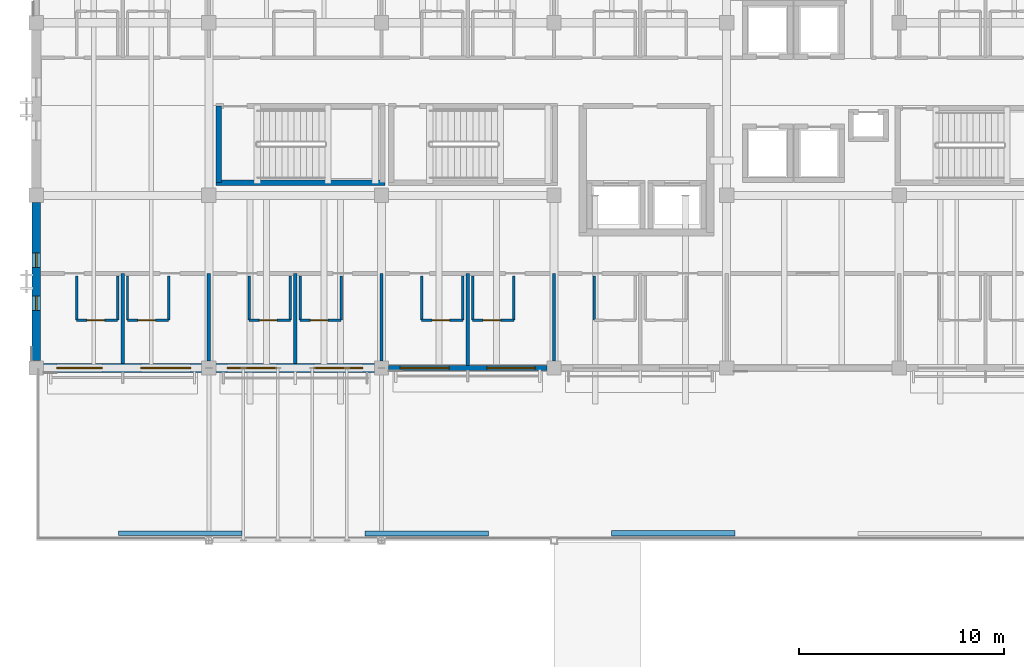
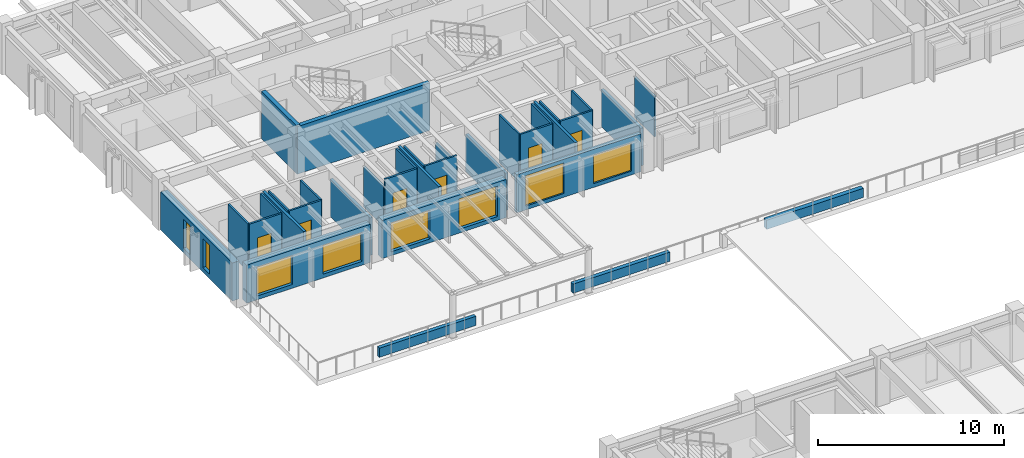
# One storey, part 86 of 111: 34 walls, 8 windows, 6 doors, 14 openings.
"""IFC4 building model written with IfcOpenShell, lengths in metres."""

from ifc_helpers import new_model, si_unit, direction, frame, frame_2d, origin, place, context, subcontext, project, spatial, rectangle, extrude, material, layer, layer_set, type_object, element, fill, save


model = new_model("IFC4")

# Units and contexts
model_context = context("Model", 3, precision=1e-05, world=origin(), true_north=direction((0.0, 1.0)))
body_context = subcontext(model_context, "Body", "Model", "MODEL_VIEW")
ifc_project = project(units=[si_unit("LENGTHUNIT", "METRE"), si_unit("AREAUNIT", "SQUARE_METRE"), si_unit("VOLUMEUNIT", "CUBIC_METRE"), si_unit("PLANEANGLEUNIT", "RADIAN"), si_unit("MASSUNIT", "GRAM", prefix="KILO")], contexts=[model_context])

# Site, building, storey
site_placement = place(None, origin())
site = spatial("IfcSite", under=ifc_project, at=site_placement, CompositionType="ELEMENT")
building_placement = place(site_placement, origin())
building = spatial("IfcBuilding", under=site, at=building_placement, Name="Cumbredor Promenade Congress Hotel", CompositionType="ELEMENT")
storey_placement = place(building_placement, frame((0.0, 0.0, 15.1201171875)))
storey = spatial("IfcBuildingStorey", under=building, at=storey_placement, Name="L04", CompositionType="ELEMENT", Elevation=15.1201171875)

# Wall, opening, door
ifc_material_1 = material(Name="Moisture-resistant gypsum board on steel studs", Category="steel")
ifc_layer_1 = layer(ifc_material_1, 0.114990234375, Name="Moisture-resistant gypsum board on steel studs", Category="steel")
ifc_layer_set_1 = layer_set([ifc_layer_1], Name="Moisture-resistant gypsum board on steel studs")
wall_type_1 = type_object("IfcWallType", Name="WL-BATH-115", PredefinedType="PARTITIONING", material=ifc_layer_set_1)
wall_1_placement = place(storey_placement, frame((1.9599609375, 94.72998046875, 0.0), z_axis=(0.0, 0.0, 1.0), x_axis=(1.0, 0.0, 0.0)))
wall_1 = element("IfcWall", 1, at=wall_1_placement, inside=storey, type_object=wall_type_1, Name="L04 Interior Partition W-L04-BH-0471", PredefinedType="PARTITIONING", context=body_context, shape_type="SweptSolid", body=[
    extrude(rectangle(XDim=2.0, YDim=0.114990234375, at=frame_2d((1.0, 0.0))), origin(), (0.0, 0.0, 1.0), 3.119873046875),
])
opening_1_placement = place(wall_1_placement, frame((0.5, 0.0, 0.0)))
opening_1 = element("IfcOpeningElement", 2, at=opening_1_placement, cuts=wall_1, Name="Opening ID-01", PredefinedType="OPENING", context=body_context, shape_type="SweptSolid", body=[
    extrude(rectangle(XDim=0.860107421875, YDim=2.050048828125, at=frame_2d((0.43017578125, 1.02490234375))), frame((0.0, 0.0673828125, 0.0), z_axis=(0.0, -1.0, 0.0), x_axis=(1.0, 0.0, 0.0)), (0.0, 0.0, 1.0), 0.135009765625),
])
ifc_material_2 = material(Name="Kiln-dried tropical hardwood", Category="wood")
door_type = type_object("IfcDoorType", Name="DR-BATH-860", OperationType="NOTDEFINED", PredefinedType="DOOR", material=ifc_material_2)
door_1_placement = place(opening_1_placement, origin())
door_1 = element("IfcDoor", 3, at=door_1_placement, inside=storey, type_object=door_type, Name="L04 Interior Door W-L04-BH-0471-01", OperationType="SINGLE_SWING_LEFT", OverallHeight=2.050048828125, OverallWidth=0.860107421875, PredefinedType="DOOR", context=body_context, shape_type="SweptSolid", body=[
    extrude(rectangle(XDim=0.860107421875, YDim=2.050048828125, at=frame_2d((0.43017578125, 1.02490234375))), frame((0.0, 0.02490234375, 0.0), z_axis=(0.0, -1.0, 0.0), x_axis=(1.0, 0.0, 0.0)), (0.0, 0.0, 1.0), 0.050048828125),
])
fill(opening_1, door_1)

# Walls
for number, where, z_axis, x_axis, name in (
    (4, (1.9599609375, 94.72998046875, 0.0), (0.0, 0.0, 1.0), (0.0, 1.0, 0.0), "L04 Interior Partition W-L04-BV1-0471"),
    (5, (3.9599609375, 94.72998046875, 0.0), (0.0, 0.0, 1.0), (0.0, 1.0, 0.0), "L04 Interior Partition W-L04-BV2-0471"),
):
    element("IfcWall", number, at=place(storey_placement, frame(where, z_axis=z_axis, x_axis=x_axis)), inside=storey, type_object=wall_type_1, Name=name, PredefinedType="PARTITIONING", context=body_context, shape_type="SweptSolid", body=[
        extrude(rectangle(XDim=2.14990234375, YDim=0.114990234375, at=frame_2d((1.074951171875, 0.0))), origin(), (0.0, 0.0, 1.0), 3.119873046875),
    ])

# Wall, opening, door
wall_2_placement = place(storey_placement, frame((4.43994140625, 94.72998046875, 0.0), z_axis=(0.0, 0.0, 1.0), x_axis=(1.0, 0.0, 0.0)))
wall_2 = element("IfcWall", 6, at=wall_2_placement, inside=storey, type_object=wall_type_1, Name="L04 Interior Partition W-L04-BH-0472", PredefinedType="PARTITIONING", context=body_context, shape_type="SweptSolid", body=[
    extrude(rectangle(XDim=2.0, YDim=0.114990234375, at=frame_2d((1.0, 0.0))), origin(), (0.0, 0.0, 1.0), 3.119873046875),
])
opening_2_placement = place(wall_2_placement, frame((0.5, 0.0, 0.0)))
opening_2 = element("IfcOpeningElement", 7, at=opening_2_placement, cuts=wall_2, Name="Opening ID-01", PredefinedType="OPENING", context=body_context, shape_type="SweptSolid", body=[
    extrude(rectangle(XDim=0.860107421875, YDim=2.050048828125, at=frame_2d((0.43017578125, 1.02490234375))), frame((0.0, 0.0673828125, 0.0), z_axis=(0.0, -1.0, 0.0), x_axis=(1.0, 0.0, 0.0)), (0.0, 0.0, 1.0), 0.135009765625),
])
door_2_placement = place(opening_2_placement, origin())
door_2 = element("IfcDoor", 8, at=door_2_placement, inside=storey, type_object=door_type, Name="L04 Interior Door W-L04-BH-0472-01", OperationType="SINGLE_SWING_RIGHT", OverallHeight=2.050048828125, OverallWidth=0.860107421875, PredefinedType="DOOR", context=body_context, shape_type="SweptSolid", body=[
    extrude(rectangle(XDim=0.860107421875, YDim=2.050048828125, at=frame_2d((0.43017578125, 1.02490234375))), frame((0.0, 0.02490234375, 0.0), z_axis=(0.0, -1.0, 0.0), x_axis=(1.0, 0.0, 0.0)), (0.0, 0.0, 1.0), 0.050048828125),
])
fill(opening_2, door_2)

# Walls
for number, where, z_axis, x_axis, name in (
    (9, (4.43994140625, 94.72998046875, 0.0), (0.0, 0.0, 1.0), (0.0, 1.0, 0.0), "L04 Interior Partition W-L04-BV1-0472"),
    (10, (6.43994140625, 94.72998046875, 0.0), (0.0, 0.0, 1.0), (0.0, 1.0, 0.0), "L04 Interior Partition W-L04-BV2-0472"),
):
    element("IfcWall", number, at=place(storey_placement, frame(where, z_axis=z_axis, x_axis=x_axis)), inside=storey, type_object=wall_type_1, Name=name, PredefinedType="PARTITIONING", context=body_context, shape_type="SweptSolid", body=[
        extrude(rectangle(XDim=2.14990234375, YDim=0.114990234375, at=frame_2d((1.074951171875, 0.0))), origin(), (0.0, 0.0, 1.0), 3.119873046875),
    ])

# Wall, opening, door
wall_3_placement = place(storey_placement, frame((10.360107421875, 94.72998046875, 0.0), z_axis=(0.0, 0.0, 1.0), x_axis=(1.0, 0.0, 0.0)))
wall_3 = element("IfcWall", 11, at=wall_3_placement, inside=storey, type_object=wall_type_1, Name="L04 Interior Partition W-L04-BH-0473", PredefinedType="PARTITIONING", context=body_context, shape_type="SweptSolid", body=[
    extrude(rectangle(XDim=2.0, YDim=0.114990234375, at=frame_2d((1.0, 0.0))), origin(), (0.0, 0.0, 1.0), 3.119873046875),
])
opening_3_placement = place(wall_3_placement, frame((0.5, 0.0, 0.0)))
opening_3 = element("IfcOpeningElement", 12, at=opening_3_placement, cuts=wall_3, Name="Opening ID-01", PredefinedType="OPENING", context=body_context, shape_type="SweptSolid", body=[
    extrude(rectangle(XDim=0.860107421875, YDim=2.050048828125, at=frame_2d((0.43017578125, 1.02490234375))), frame((0.0, 0.0673828125, 0.0), z_axis=(0.0, -1.0, 0.0), x_axis=(1.0, 0.0, 0.0)), (0.0, 0.0, 1.0), 0.135009765625),
])
door_3_placement = place(opening_3_placement, origin())
door_3 = element("IfcDoor", 13, at=door_3_placement, inside=storey, type_object=door_type, Name="L04 Interior Door W-L04-BH-0473-01", OperationType="SINGLE_SWING_LEFT", OverallHeight=2.050048828125, OverallWidth=0.860107421875, PredefinedType="DOOR", context=body_context, shape_type="SweptSolid", body=[
    extrude(rectangle(XDim=0.860107421875, YDim=2.050048828125, at=frame_2d((0.43017578125, 1.02490234375))), frame((0.0, 0.02490234375, 0.0), z_axis=(0.0, -1.0, 0.0), x_axis=(1.0, 0.0, 0.0)), (0.0, 0.0, 1.0), 0.050048828125),
])
fill(opening_3, door_3)

# Walls
wall_4_placement = place(storey_placement, frame((10.360107421875, 94.72998046875, 0.0), z_axis=(0.0, 0.0, 1.0), x_axis=(0.0, 1.0, 0.0)))
element("IfcWall", 14, at=wall_4_placement, inside=storey, type_object=wall_type_1, Name="L04 Interior Partition W-L04-BV1-0473", PredefinedType="PARTITIONING", context=body_context, shape_type="SweptSolid", body=[
    extrude(rectangle(XDim=2.14990234375, YDim=0.114990234375, at=frame_2d((1.074951171875, 0.0))), origin(), (0.0, 0.0, 1.0), 2.641845703125),
])
wall_5_placement = place(storey_placement, frame((12.360107421875, 94.72998046875, 0.0), z_axis=(0.0, 0.0, 1.0), x_axis=(0.0, 1.0, 0.0)))
element("IfcWall", 15, at=wall_5_placement, inside=storey, type_object=wall_type_1, Name="L04 Interior Partition W-L04-BV2-0473", PredefinedType="PARTITIONING", context=body_context, shape_type="SweptSolid", body=[
    extrude(rectangle(XDim=2.14990234375, YDim=0.114990234375, at=frame_2d((1.074951171875, 0.0))), origin(), (0.0, 0.0, 1.0), 3.119873046875),
])

# Wall, opening, door
wall_6_placement = place(storey_placement, frame((12.840087890625, 94.72998046875, 0.0), z_axis=(0.0, 0.0, 1.0), x_axis=(1.0, 0.0, 0.0)))
wall_6 = element("IfcWall", 16, at=wall_6_placement, inside=storey, type_object=wall_type_1, Name="L04 Interior Partition W-L04-BH-0474", PredefinedType="PARTITIONING", context=body_context, shape_type="SweptSolid", body=[
    extrude(rectangle(XDim=2.0, YDim=0.114990234375, at=frame_2d((1.0, 0.0))), origin(), (0.0, 0.0, 1.0), 3.119873046875),
])
opening_4_placement = place(wall_6_placement, frame((0.5, 0.0, 0.0)))
opening_4 = element("IfcOpeningElement", 17, at=opening_4_placement, cuts=wall_6, Name="Opening ID-01", PredefinedType="OPENING", context=body_context, shape_type="SweptSolid", body=[
    extrude(rectangle(XDim=0.860107421875, YDim=2.050048828125, at=frame_2d((0.43017578125, 1.02490234375))), frame((0.0, 0.0673828125, 0.0), z_axis=(0.0, -1.0, 0.0), x_axis=(1.0, 0.0, 0.0)), (0.0, 0.0, 1.0), 0.135009765625),
])
door_4_placement = place(opening_4_placement, origin())
door_4 = element("IfcDoor", 18, at=door_4_placement, inside=storey, type_object=door_type, Name="L04 Interior Door W-L04-BH-0474-01", OperationType="SINGLE_SWING_RIGHT", OverallHeight=2.050048828125, OverallWidth=0.860107421875, PredefinedType="DOOR", context=body_context, shape_type="SweptSolid", body=[
    extrude(rectangle(XDim=0.860107421875, YDim=2.050048828125, at=frame_2d((0.43017578125, 1.02490234375))), frame((0.0, 0.02490234375, 0.0), z_axis=(0.0, -1.0, 0.0), x_axis=(1.0, 0.0, 0.0)), (0.0, 0.0, 1.0), 0.050048828125),
])
fill(opening_4, door_4)

# Walls
wall_7_placement = place(storey_placement, frame((12.840087890625, 94.72998046875, 0.0), z_axis=(0.0, 0.0, 1.0), x_axis=(0.0, 1.0, 0.0)))
element("IfcWall", 19, at=wall_7_placement, inside=storey, type_object=wall_type_1, Name="L04 Interior Partition W-L04-BV1-0474", PredefinedType="PARTITIONING", context=body_context, shape_type="SweptSolid", body=[
    extrude(rectangle(XDim=2.14990234375, YDim=0.114990234375, at=frame_2d((1.074951171875, 0.0))), origin(), (0.0, 0.0, 1.0), 3.119873046875),
])
wall_8_placement = place(storey_placement, frame((14.840087890625, 94.72998046875, 0.0), z_axis=(0.0, 0.0, 1.0), x_axis=(0.0, 1.0, 0.0)))
element("IfcWall", 20, at=wall_8_placement, inside=storey, type_object=wall_type_1, Name="L04 Interior Partition W-L04-BV2-0474", PredefinedType="PARTITIONING", context=body_context, shape_type="SweptSolid", body=[
    extrude(rectangle(XDim=2.14990234375, YDim=0.114990234375, at=frame_2d((1.074951171875, 0.0))), origin(), (0.0, 0.0, 1.0), 2.641845703125),
])

# Wall, opening, door
wall_9_placement = place(storey_placement, frame((18.760009765625, 94.72998046875, 0.0), z_axis=(0.0, 0.0, 1.0), x_axis=(1.0, 0.0, 0.0)))
wall_9 = element("IfcWall", 21, at=wall_9_placement, inside=storey, type_object=wall_type_1, Name="L04 Interior Partition W-L04-BH-0475", PredefinedType="PARTITIONING", context=body_context, shape_type="SweptSolid", body=[
    extrude(rectangle(XDim=2.0, YDim=0.114990234375, at=frame_2d((1.0, 0.0))), origin(), (0.0, 0.0, 1.0), 3.119873046875),
])
opening_5_placement = place(wall_9_placement, frame((0.5, 0.0, 0.0)))
opening_5 = element("IfcOpeningElement", 22, at=opening_5_placement, cuts=wall_9, Name="Opening ID-01", PredefinedType="OPENING", context=body_context, shape_type="SweptSolid", body=[
    extrude(rectangle(XDim=0.860107421875, YDim=2.050048828125, at=frame_2d((0.43017578125, 1.02490234375))), frame((0.0, 0.0673828125, 0.0), z_axis=(0.0, -1.0, 0.0), x_axis=(1.0, 0.0, 0.0)), (0.0, 0.0, 1.0), 0.135009765625),
])
door_5_placement = place(opening_5_placement, origin())
door_5 = element("IfcDoor", 23, at=door_5_placement, inside=storey, type_object=door_type, Name="L04 Interior Door W-L04-BH-0475-01", OperationType="SINGLE_SWING_LEFT", OverallHeight=2.050048828125, OverallWidth=0.860107421875, PredefinedType="DOOR", context=body_context, shape_type="SweptSolid", body=[
    extrude(rectangle(XDim=0.860107421875, YDim=2.050048828125, at=frame_2d((0.43017578125, 1.02490234375))), frame((0.0, 0.02490234375, 0.0), z_axis=(0.0, -1.0, 0.0), x_axis=(1.0, 0.0, 0.0)), (0.0, 0.0, 1.0), 0.050048828125),
])
fill(opening_5, door_5)

# Walls
for number, where, z_axis, x_axis, name in (
    (24, (18.760009765625, 94.72998046875, 0.0), (0.0, 0.0, 1.0), (0.0, 1.0, 0.0), "L04 Interior Partition W-L04-BV1-0475"),
    (25, (20.760009765625, 94.72998046875, 0.0), (0.0, 0.0, 1.0), (0.0, 1.0, 0.0), "L04 Interior Partition W-L04-BV2-0475"),
):
    element("IfcWall", number, at=place(storey_placement, frame(where, z_axis=z_axis, x_axis=x_axis)), inside=storey, type_object=wall_type_1, Name=name, PredefinedType="PARTITIONING", context=body_context, shape_type="SweptSolid", body=[
        extrude(rectangle(XDim=2.14990234375, YDim=0.114990234375, at=frame_2d((1.074951171875, 0.0))), origin(), (0.0, 0.0, 1.0), 3.119873046875),
    ])

# Wall, opening, door
wall_10_placement = place(storey_placement, frame((21.239990234375, 94.72998046875, 0.0), z_axis=(0.0, 0.0, 1.0), x_axis=(1.0, 0.0, 0.0)))
wall_10 = element("IfcWall", 26, at=wall_10_placement, inside=storey, type_object=wall_type_1, Name="L04 Interior Partition W-L04-BH-0476", PredefinedType="PARTITIONING", context=body_context, shape_type="SweptSolid", body=[
    extrude(rectangle(XDim=2.0, YDim=0.114990234375, at=frame_2d((1.0, 0.0))), origin(), (0.0, 0.0, 1.0), 3.119873046875),
])
opening_6_placement = place(wall_10_placement, frame((0.5, 0.0, 0.0)))
opening_6 = element("IfcOpeningElement", 27, at=opening_6_placement, cuts=wall_10, Name="Opening ID-01", PredefinedType="OPENING", context=body_context, shape_type="SweptSolid", body=[
    extrude(rectangle(XDim=0.860107421875, YDim=2.050048828125, at=frame_2d((0.43017578125, 1.02490234375))), frame((0.0, 0.0673828125, 0.0), z_axis=(0.0, -1.0, 0.0), x_axis=(1.0, 0.0, 0.0)), (0.0, 0.0, 1.0), 0.135009765625),
])
door_6_placement = place(opening_6_placement, origin())
door_6 = element("IfcDoor", 28, at=door_6_placement, inside=storey, type_object=door_type, Name="L04 Interior Door W-L04-BH-0476-01", OperationType="SINGLE_SWING_RIGHT", OverallHeight=2.050048828125, OverallWidth=0.860107421875, PredefinedType="DOOR", context=body_context, shape_type="SweptSolid", body=[
    extrude(rectangle(XDim=0.860107421875, YDim=2.050048828125, at=frame_2d((0.43017578125, 1.02490234375))), frame((0.0, 0.02490234375, 0.0), z_axis=(0.0, -1.0, 0.0), x_axis=(1.0, 0.0, 0.0)), (0.0, 0.0, 1.0), 0.050048828125),
])
fill(opening_6, door_6)

# Walls
for number, where, z_axis, x_axis, name in (
    (29, (21.239990234375, 94.72998046875, 0.0), (0.0, 0.0, 1.0), (0.0, 1.0, 0.0), "L04 Interior Partition W-L04-BV1-0476"),
    (30, (23.239990234375, 94.72998046875, 0.0), (0.0, 0.0, 1.0), (0.0, 1.0, 0.0), "L04 Interior Partition W-L04-BV2-0476"),
):
    element("IfcWall", number, at=place(storey_placement, frame(where, z_axis=z_axis, x_axis=x_axis)), inside=storey, type_object=wall_type_1, Name=name, PredefinedType="PARTITIONING", context=body_context, shape_type="SweptSolid", body=[
        extrude(rectangle(XDim=2.14990234375, YDim=0.114990234375, at=frame_2d((1.074951171875, 0.0))), origin(), (0.0, 0.0, 1.0), 3.119873046875),
    ])
wall_11_placement = place(storey_placement, frame((27.159912109375, 94.72998046875, 0.0), z_axis=(0.0, 0.0, 1.0), x_axis=(0.0, 1.0, 0.0)))
element("IfcWall", 31, at=wall_11_placement, inside=storey, type_object=wall_type_1, Name="L04 Interior Partition W-L04-BV1-0477", PredefinedType="PARTITIONING", context=body_context, shape_type="SweptSolid", body=[
    extrude(rectangle(XDim=2.14990234375, YDim=0.114990234375, at=frame_2d((1.074951171875, 0.0))), origin(), (0.0, 0.0, 1.0), 2.641845703125),
])

# Wall, openings, windows
ifc_material_3 = material(Name="Concrete C40/50", Category="concrete")
ifc_layer_2 = layer(ifc_material_3, 0.260009765625, Name="Concrete C40/50", Category="concrete")
ifc_layer_set_2 = layer_set([ifc_layer_2], Name="Concrete C40/50")
wall_type_2 = type_object("IfcWallType", Name="WL-EXT-260", PredefinedType="SOLIDWALL", material=ifc_layer_set_2)
wall_12_placement = place(storey_placement, frame((17.15087890625, 92.39990234375, 0.0), z_axis=(0.0, 0.0, 1.0), x_axis=(1.0, 0.0, 0.0)))
wall_12 = element("IfcWall", 32, at=wall_12_placement, inside=storey, type_object=wall_type_2, Name="L04 Stepped Congress Hotel Wing South Envelope Wall 3", PredefinedType="SOLIDWALL", context=body_context, shape_type="SweptSolid", body=[
    extrude(rectangle(XDim=7.6982421875, YDim=0.260009765625, at=frame_2d((3.84912109375, 0.0))), origin(), (0.0, 0.0, 1.0), 2.493896484375),
])
opening_7_placement = place(wall_12_placement, frame((0.55908203125, 0.0, 0.25)))
opening_7 = element("IfcOpeningElement", 33, at=opening_7_placement, cuts=wall_12, Name="Opening WN-41", PredefinedType="OPENING", context=body_context, shape_type="SweptSolid", body=[
    extrude(rectangle(XDim=2.3798828125, YDim=2.0, at=frame_2d((1.18994140625, 1.0))), frame((0.0, 0.14013671875, 0.0), z_axis=(0.0, -1.0, 0.0), x_axis=(1.0, 0.0, 0.0)), (0.0, 0.0, 1.0), 0.280029296875),
])
opening_8_placement = place(wall_12_placement, frame((4.77392578125, 0.0, 0.25)))
opening_8 = element("IfcOpeningElement", 34, at=opening_8_placement, cuts=wall_12, Name="Opening WN-02", PredefinedType="OPENING", context=body_context, shape_type="SweptSolid", body=[
    extrude(rectangle(XDim=2.35009765625, YDim=1.85009765625, at=frame_2d((1.175048828125, 0.925048828125))), frame((0.0, 0.14013671875, 0.0), z_axis=(0.0, -1.0, 0.0), x_axis=(1.0, 0.0, 0.0)), (0.0, 0.0, 1.0), 0.280029296875),
])
ifc_material_4 = material(Name="Thermally broken anodized aluminium and low-E glass", Category="aluminium")
window_type_1 = type_object("IfcWindowType", Name="Hospitality Floor-to-Ceiling Window WN-02 2350x1850", PartitioningType="DOUBLE_PANEL_VERTICAL", PredefinedType="WINDOW", material=ifc_material_4)
window_1_placement = place(opening_8_placement, origin())
window_1 = element("IfcWindow", 35, at=window_1_placement, inside=storey, type_object=window_type_1, Name="L04 Wide Hospitality Window 0477", OverallHeight=1.85009765625, OverallWidth=2.35009765625, PartitioningType="DOUBLE_PANEL_VERTICAL", PredefinedType="WINDOW", context=body_context, shape_type="SweptSolid", body=[
    extrude(rectangle(XDim=2.35009765625, YDim=1.85009765625, at=frame_2d((1.175048828125, 0.925048828125))), frame((0.0, 0.030029296875, 0.0), z_axis=(0.0, -1.0, 0.0), x_axis=(1.0, 0.0, 0.0)), (0.0, 0.0, 1.0), 0.06005859375),
])
fill(opening_8, window_1)
window_type_2 = type_object("IfcWindowType", Name="Hospitality Floor-to-Ceiling Window WN-41 2380x2000", PartitioningType="DOUBLE_PANEL_VERTICAL", PredefinedType="WINDOW", material=ifc_material_4)
window_2_placement = place(opening_7_placement, origin())
window_2 = element("IfcWindow", 36, at=window_2_placement, inside=storey, type_object=window_type_2, Name="L04 Wide Hospitality Window 0476", OverallHeight=2.0, OverallWidth=2.3798828125, PartitioningType="DOUBLE_PANEL_VERTICAL", PredefinedType="WINDOW", context=body_context, shape_type="SweptSolid", body=[
    extrude(rectangle(XDim=2.3798828125, YDim=2.0, at=frame_2d((1.18994140625, 1.0))), frame((0.0, 0.030029296875, 0.0), z_axis=(0.0, -1.0, 0.0), x_axis=(1.0, 0.0, 0.0)), (0.0, 0.0, 1.0), 0.06005859375),
])
fill(opening_7, window_2)

ifc_layer_3 = layer(ifc_material_3, 0.425048828125, Name="Concrete C40/50", Category="concrete")
ifc_layer_set_3 = layer_set([ifc_layer_3], Name="Concrete C40/50")
wall_type_3 = type_object("IfcWallType", Name="WL-EXT-425", PredefinedType="SOLIDWALL", material=ifc_layer_set_3)
wall_13_placement = place(storey_placement, frame((0.35107421875, 92.39990234375, 0.0), z_axis=(0.0, 0.0, 1.0), x_axis=(1.0, 0.0, 0.0)))
wall_13 = element("IfcWall", 37, at=wall_13_placement, inside=storey, type_object=wall_type_3, Name="L04 Stepped Congress Hotel Wing South Envelope Wall 1", PredefinedType="SOLIDWALL", context=body_context, shape_type="SweptSolid", body=[
    extrude(rectangle(XDim=7.697998046875, YDim=0.425048828125, at=frame_2d((3.84912109375, 0.0))), origin(), (0.0, 0.0, 1.0), 2.493896484375),
])
opening_9_placement = place(wall_13_placement, frame((0.638916015625, 0.0, 0.25)))
opening_9 = element("IfcOpeningElement", 38, at=opening_9_placement, cuts=wall_13, Name="Opening WN-35", PredefinedType="OPENING", context=body_context, shape_type="SweptSolid", body=[
    extrude(rectangle(XDim=2.219970703125, YDim=1.89990234375, at=frame_2d((1.10986328125, 0.949951171875))), frame((0.0, 0.22265625, 0.0), z_axis=(0.0, -1.0, 0.0), x_axis=(1.0, 0.0, 0.0)), (0.0, 0.0, 1.0), 0.445068359375),
])
opening_10_placement = place(wall_13_placement, frame((4.739013671875, 0.0, 0.25)))
opening_10 = element("IfcOpeningElement", 39, at=opening_10_placement, cuts=wall_13, Name="Opening WN-37", PredefinedType="OPENING", context=body_context, shape_type="SweptSolid", body=[
    extrude(rectangle(XDim=2.419921875, YDim=1.89990234375, at=frame_2d((1.2099609375, 0.949951171875))), frame((0.0, 0.22265625, 0.0), z_axis=(0.0, -1.0, 0.0), x_axis=(1.0, 0.0, 0.0)), (0.0, 0.0, 1.0), 0.445068359375),
])
window_type_3 = type_object("IfcWindowType", Name="Hospitality Floor-to-Ceiling Window WN-35 2220x1900", PartitioningType="DOUBLE_PANEL_VERTICAL", PredefinedType="WINDOW", material=ifc_material_4)
window_3_placement = place(opening_9_placement, origin())
window_3 = element("IfcWindow", 40, at=window_3_placement, inside=storey, type_object=window_type_3, Name="L04 Wide Hospitality Window 0472", OverallHeight=1.89990234375, OverallWidth=2.219970703125, PartitioningType="DOUBLE_PANEL_VERTICAL", PredefinedType="WINDOW", context=body_context, shape_type="SweptSolid", body=[
    extrude(rectangle(XDim=2.219970703125, YDim=1.89990234375, at=frame_2d((1.10986328125, 0.949951171875))), frame((0.0, 0.030029296875, 0.0), z_axis=(0.0, -1.0, 0.0), x_axis=(1.0, 0.0, 0.0)), (0.0, 0.0, 1.0), 0.06005859375),
])
fill(opening_9, window_3)
window_type_4 = type_object("IfcWindowType", Name="Hospitality Floor-to-Ceiling Window WN-37 2420x1900", PartitioningType="DOUBLE_PANEL_VERTICAL", PredefinedType="WINDOW", material=ifc_material_4)
window_4_placement = place(opening_10_placement, origin())
window_4 = element("IfcWindow", 41, at=window_4_placement, inside=storey, type_object=window_type_4, Name="L04 Wide Hospitality Window 0473", OverallHeight=1.89990234375, OverallWidth=2.419921875, PartitioningType="DOUBLE_PANEL_VERTICAL", PredefinedType="WINDOW", context=body_context, shape_type="SweptSolid", body=[
    extrude(rectangle(XDim=2.419921875, YDim=1.89990234375, at=frame_2d((1.2099609375, 0.949951171875))), frame((0.0, 0.030029296875, 0.0), z_axis=(0.0, -1.0, 0.0), x_axis=(1.0, 0.0, 0.0)), (0.0, 0.0, 1.0), 0.06005859375),
])
fill(opening_10, window_4)

wall_14_placement = place(storey_placement, frame((0.0, 92.7509765625, 0.0), z_axis=(0.0, 0.0, 1.0), x_axis=(0.0, 1.0, 0.0)))
wall_14 = element("IfcWall", 42, at=wall_14_placement, inside=storey, type_object=wall_type_3, Name="L04 Stepped Congress Hotel Wing West Envelope Wall 1", PredefinedType="SOLIDWALL", context=body_context, shape_type="SweptSolid", body=[
    extrude(rectangle(XDim=7.697998046875, YDim=0.425048828125, at=frame_2d((3.84912109375, 0.0))), origin(), (0.0, 0.0, 1.0), 2.493896484375),
])
opening_11_placement = place(wall_14_placement, frame((2.448974609375, 0.0, 0.300048828125)))
opening_11 = element("IfcOpeningElement", 43, at=opening_11_placement, cuts=wall_14, Name="Opening WN-65", PredefinedType="OPENING", context=body_context, shape_type="SweptSolid", body=[
    extrude(rectangle(XDim=0.699951171875, YDim=1.89990234375, at=frame_2d((0.35009765625, 0.949951171875))), frame((0.0, 0.22265625, 0.0), z_axis=(0.0, -1.0, 0.0), x_axis=(1.0, 0.0, 0.0)), (0.0, 0.0, 1.0), 0.445068359375),
])
opening_12_placement = place(wall_14_placement, frame((4.549072265625, 0.0, 0.300048828125)))
opening_12 = element("IfcOpeningElement", 44, at=opening_12_placement, cuts=wall_14, Name="Opening WN-65", PredefinedType="OPENING", context=body_context, shape_type="SweptSolid", body=[
    extrude(rectangle(XDim=0.699951171875, YDim=1.89990234375, at=frame_2d((0.35009765625, 0.949951171875))), frame((0.0, 0.22265625, 0.0), z_axis=(0.0, -1.0, 0.0), x_axis=(1.0, 0.0, 0.0)), (0.0, 0.0, 1.0), 0.445068359375),
])
window_type_5 = type_object("IfcWindowType", Name="Vertical Slot Window WN-65 700x1900", PartitioningType="SINGLE_PANEL", PredefinedType="WINDOW", material=ifc_material_4)
window_5_placement = place(opening_11_placement, origin())
window_5 = element("IfcWindow", 45, at=window_5_placement, inside=storey, type_object=window_type_5, Name="L04 Vertical Slot Window 0502", OverallHeight=1.89990234375, OverallWidth=0.699951171875, PartitioningType="SINGLE_PANEL", PredefinedType="WINDOW", context=body_context, shape_type="SweptSolid", body=[
    extrude(rectangle(XDim=0.699951171875, YDim=1.89990234375, at=frame_2d((0.35009765625, 0.949951171875))), frame((0.0, 0.030029296875, 0.0), z_axis=(0.0, -1.0, 0.0), x_axis=(1.0, 0.0, 0.0)), (0.0, 0.0, 1.0), 0.06005859375),
])
fill(opening_11, window_5)
window_6_placement = place(opening_12_placement, origin())
window_6 = element("IfcWindow", 46, at=window_6_placement, inside=storey, type_object=window_type_5, Name="L04 Vertical Slot Window 0503", OverallHeight=1.89990234375, OverallWidth=0.699951171875, PartitioningType="SINGLE_PANEL", PredefinedType="WINDOW", context=body_context, shape_type="SweptSolid", body=[
    extrude(rectangle(XDim=0.699951171875, YDim=1.89990234375, at=frame_2d((0.35009765625, 0.949951171875))), frame((0.0, 0.030029296875, 0.0), z_axis=(0.0, -1.0, 0.0), x_axis=(1.0, 0.0, 0.0)), (0.0, 0.0, 1.0), 0.06005859375),
])
fill(opening_12, window_6)

ifc_layer_4 = layer(ifc_material_3, 0.449951171875, Name="Concrete C40/50", Category="concrete")
ifc_layer_set_4 = layer_set([ifc_layer_4], Name="Concrete C40/50")
wall_type_4 = type_object("IfcWallType", Name="WL-EXT-450", PredefinedType="SOLIDWALL", material=ifc_layer_set_4)
wall_15_placement = place(storey_placement, frame((8.7509765625, 92.39990234375, 0.0), z_axis=(0.0, 0.0, 1.0), x_axis=(1.0, 0.0, 0.0)))
wall_15 = element("IfcWall", 47, at=wall_15_placement, inside=storey, type_object=wall_type_4, Name="L04 Stepped Congress Hotel Wing South Envelope Wall 2", PredefinedType="SOLIDWALL", context=body_context, shape_type="SweptSolid", body=[
    extrude(rectangle(XDim=7.697998046875, YDim=0.449951171875, at=frame_2d((3.84912109375, 0.0))), origin(), (0.0, 0.0, 1.0), 2.493896484375),
])
opening_13_placement = place(wall_15_placement, frame((0.5390625, 0.0, 0.25)))
opening_13 = element("IfcOpeningElement", 48, at=opening_13_placement, cuts=wall_15, Name="Opening WN-37", PredefinedType="OPENING", context=body_context, shape_type="SweptSolid", body=[
    extrude(rectangle(XDim=2.419921875, YDim=1.89990234375, at=frame_2d((1.2099609375, 0.949951171875))), frame((0.0, 0.23486328125, 0.0), z_axis=(0.0, -1.0, 0.0), x_axis=(1.0, 0.0, 0.0)), (0.0, 0.0, 1.0), 0.469970703125),
])
opening_14_placement = place(wall_15_placement, frame((4.759033203125, 0.0, 0.25)))
opening_14 = element("IfcOpeningElement", 49, at=opening_14_placement, cuts=wall_15, Name="Opening WN-41", PredefinedType="OPENING", context=body_context, shape_type="SweptSolid", body=[
    extrude(rectangle(XDim=2.3798828125, YDim=2.0, at=frame_2d((1.18994140625, 1.0))), frame((0.0, 0.23486328125, 0.0), z_axis=(0.0, -1.0, 0.0), x_axis=(1.0, 0.0, 0.0)), (0.0, 0.0, 1.0), 0.469970703125),
])
window_7_placement = place(opening_13_placement, origin())
window_7 = element("IfcWindow", 50, at=window_7_placement, inside=storey, type_object=window_type_4, Name="L04 Wide Hospitality Window 0474", OverallHeight=1.89990234375, OverallWidth=2.419921875, PartitioningType="DOUBLE_PANEL_VERTICAL", PredefinedType="WINDOW", context=body_context, shape_type="SweptSolid", body=[
    extrude(rectangle(XDim=2.419921875, YDim=1.89990234375, at=frame_2d((1.2099609375, 0.949951171875))), frame((0.0, 0.030029296875, 0.0), z_axis=(0.0, -1.0, 0.0), x_axis=(1.0, 0.0, 0.0)), (0.0, 0.0, 1.0), 0.06005859375),
])
fill(opening_13, window_7)
window_8_placement = place(opening_14_placement, origin())
window_8 = element("IfcWindow", 51, at=window_8_placement, inside=storey, type_object=window_type_2, Name="L04 Wide Hospitality Window 0475", OverallHeight=2.0, OverallWidth=2.3798828125, PartitioningType="DOUBLE_PANEL_VERTICAL", PredefinedType="WINDOW", context=body_context, shape_type="SweptSolid", body=[
    extrude(rectangle(XDim=2.3798828125, YDim=2.0, at=frame_2d((1.18994140625, 1.0))), frame((0.0, 0.030029296875, 0.0), z_axis=(0.0, -1.0, 0.0), x_axis=(1.0, 0.0, 0.0)), (0.0, 0.0, 1.0), 0.06005859375),
])
fill(opening_14, window_8)

# Walls
ifc_material_5 = material(Name="Precast concrete C40/50", Category="concrete")
ifc_layer_5 = layer(ifc_material_5, 0.219970703125, Name="Precast concrete C40/50", Category="concrete")
ifc_layer_set_5 = layer_set([ifc_layer_5], Name="Precast concrete C40/50")
wall_type_5 = type_object("IfcWallType", Name="WL-PAR-220", PredefinedType="PARAPET", material=ifc_layer_set_5)
wall_16_placement = place(storey_placement, frame((4.0, 84.35009765625, 0.0), z_axis=(0.0, 0.0, 1.0), x_axis=(1.0, 0.0, 0.0)))
element("IfcWall", 52, at=wall_16_placement, inside=storey, type_object=wall_type_5, Name="L04 Sky Garden Planter Upstand Parapet 57", PredefinedType="PARAPET", context=body_context, shape_type="SweptSolid", body=[
    extrude(rectangle(XDim=6.0, YDim=0.219970703125, at=frame_2d((3.0, 0.0))), origin(), (0.0, 0.0, 1.0), 0.599853515625),
])
ifc_layer_6 = layer(ifc_material_5, 0.239990234375, Name="Precast concrete C40/50", Category="concrete")
ifc_layer_set_6 = layer_set([ifc_layer_6], Name="Precast concrete C40/50")
wall_type_6 = type_object("IfcWallType", Name="WL-PAR-240", PredefinedType="PARAPET", material=ifc_layer_set_6)
wall_17_placement = place(storey_placement, frame((16.0, 84.35009765625, 0.0), z_axis=(0.0, 0.0, 1.0), x_axis=(1.0, 0.0, 0.0)))
element("IfcWall", 53, at=wall_17_placement, inside=storey, type_object=wall_type_6, Name="L04 Sky Garden Planter Upstand Parapet 58", PredefinedType="PARAPET", context=body_context, shape_type="SweptSolid", body=[
    extrude(rectangle(XDim=6.0, YDim=0.239990234375, at=frame_2d((3.0, 0.0))), origin(), (0.0, 0.0, 1.0), 0.599853515625),
])
ifc_layer_7 = layer(ifc_material_5, 0.27490234375, Name="Precast concrete C40/50", Category="concrete")
ifc_layer_set_7 = layer_set([ifc_layer_7], Name="Precast concrete C40/50")
wall_type_7 = type_object("IfcWallType", Name="WL-PAR-275", PredefinedType="PARAPET", material=ifc_layer_set_7)
wall_18_placement = place(storey_placement, frame((28.0, 84.35009765625, 0.0), z_axis=(0.0, 0.0, 1.0), x_axis=(1.0, 0.0, 0.0)))
element("IfcWall", 54, at=wall_18_placement, inside=storey, type_object=wall_type_7, Name="L04 Sky Garden Planter Upstand Parapet 59", PredefinedType="PARAPET", context=body_context, shape_type="SweptSolid", body=[
    extrude(rectangle(XDim=6.0, YDim=0.27490234375, at=frame_2d((3.0, 0.0))), origin(), (0.0, 0.0, 1.0), 0.599853515625),
])
ifc_layer_8 = layer(ifc_material_3, 0.2548828125, Name="Concrete C40/50", Category="concrete")
ifc_layer_set_8 = layer_set([ifc_layer_8], Name="Concrete C40/50")
wall_type_8 = type_object("IfcWallType", Name="WL-SHAFT-250", PredefinedType="SOLIDWALL", material=ifc_layer_set_8)
wall_19_placement = place(storey_placement, frame((8.75244140625, 101.419921875, 0.0), z_axis=(0.0, 0.0, 1.0), x_axis=(1.0, 0.0, 0.0)))
element("IfcWall", 55, at=wall_19_placement, inside=storey, type_object=wall_type_8, Name="STAIR-ST-01-L04 Shaft Wall South", PredefinedType="SOLIDWALL", context=body_context, shape_type="SweptSolid", body=[
    extrude(rectangle(XDim=8.22509765625, YDim=0.2548828125, at=frame_2d((4.112548828125, 0.0))), origin(), (0.0, 0.0, 1.0), 3.119873046875),
])
wall_20_placement = place(storey_placement, frame((8.8798828125, 101.419921875, 0.0), z_axis=(0.0, 0.0, 1.0), x_axis=(0.0, 1.0, 0.0)))
element("IfcWall", 56, at=wall_20_placement, inside=storey, type_object=wall_type_8, Name="STAIR-ST-01-L04 Shaft Wall West", PredefinedType="SOLIDWALL", context=body_context, shape_type="SweptSolid", body=[
    extrude(rectangle(XDim=3.72998046875, YDim=0.2548828125, at=frame_2d((1.864990234375, 0.0))), origin(), (0.0, 0.0, 1.0), 3.119873046875),
])
ifc_material_6 = material(Name="Fire-rated acoustic double-stud partition")
ifc_layer_9 = layer(ifc_material_6, 0.1650390625, Name="Fire-rated acoustic double-stud partition")
ifc_layer_set_9 = layer_set([ifc_layer_9], Name="Fire-rated acoustic double-stud partition")
wall_type_9 = type_object("IfcWallType", Name="WL-UNIT-165", PredefinedType="PARTITIONING", material=ifc_layer_set_9)
wall_21_placement = place(storey_placement, frame((4.199951171875, 92.612548828125, 0.0), z_axis=(0.0, 0.0, 1.0), x_axis=(0.0, 1.0, 0.0)))
element("IfcWall", 57, at=wall_21_placement, inside=storey, type_object=wall_type_9, Name="L04 Interior Partition W-L04-SC-DIV-0-M", PredefinedType="PARTITIONING", context=body_context, shape_type="SweptSolid", body=[
    extrude(rectangle(XDim=4.387451171875, YDim=0.1650390625, at=frame_2d((2.19384765625, 0.0))), origin(), (0.0, 0.0, 1.0), 3.119873046875),
])
wall_22_placement = place(storey_placement, frame((12.60009765625, 92.625, 0.0), z_axis=(0.0, 0.0, 1.0), x_axis=(0.0, 1.0, 0.0)))
element("IfcWall", 58, at=wall_22_placement, inside=storey, type_object=wall_type_9, Name="L04 Interior Partition W-L04-SC-DIV-1-M", PredefinedType="PARTITIONING", context=body_context, shape_type="SweptSolid", body=[
    extrude(rectangle(XDim=4.375, YDim=0.1650390625, at=frame_2d((2.1875, 0.0))), origin(), (0.0, 0.0, 1.0), 3.119873046875),
])
wall_23_placement = place(storey_placement, frame((8.39990234375, 92.75, 0.0), z_axis=(0.0, 0.0, 1.0), x_axis=(0.0, 1.0, 0.0)))
element("IfcWall", 59, at=wall_23_placement, inside=storey, type_object=wall_type_9, Name="L04 Interior Partition W-L04-SC-DIV-1-G", PredefinedType="PARTITIONING", context=body_context, shape_type="SweptSolid", body=[
    extrude(rectangle(XDim=4.25, YDim=0.1650390625, at=frame_2d((2.125, 0.0))), origin(), (0.0, 0.0, 1.0), 2.454833984375),
])
wall_24_placement = place(storey_placement, frame((21.0, 92.530029296875, 0.0), z_axis=(0.0, 0.0, 1.0), x_axis=(0.0, 1.0, 0.0)))
element("IfcWall", 60, at=wall_24_placement, inside=storey, type_object=wall_type_9, Name="L04 Interior Partition W-L04-SC-DIV-2-M", PredefinedType="PARTITIONING", context=body_context, shape_type="SweptSolid", body=[
    extrude(rectangle(XDim=4.469970703125, YDim=0.1650390625, at=frame_2d((2.23486328125, 0.0))), origin(), (0.0, 0.0, 1.0), 3.119873046875),
])
for number, where, z_axis, x_axis, name in (
    (61, (16.800048828125, 92.75, 0.0), (0.0, 0.0, 1.0), (0.0, 1.0, 0.0), "L04 Interior Partition W-L04-SC-DIV-2-G"),
    (62, (25.199951171875, 92.75, 0.0), (0.0, 0.0, 1.0), (0.0, 1.0, 0.0), "L04 Interior Partition W-L04-SC-DIV-3-G"),
):
    element("IfcWall", number, at=place(storey_placement, frame(where, z_axis=z_axis, x_axis=x_axis)), inside=storey, type_object=wall_type_9, Name=name, PredefinedType="PARTITIONING", context=body_context, shape_type="SweptSolid", body=[
        extrude(rectangle(XDim=4.25, YDim=0.1650390625, at=frame_2d((2.125, 0.0))), origin(), (0.0, 0.0, 1.0), 2.454833984375),
    ])

save(model, "model.ifc")
